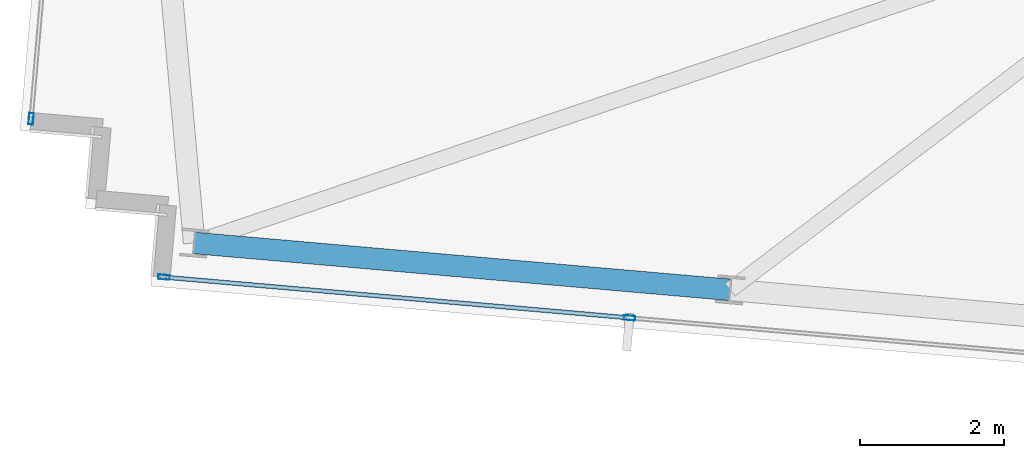
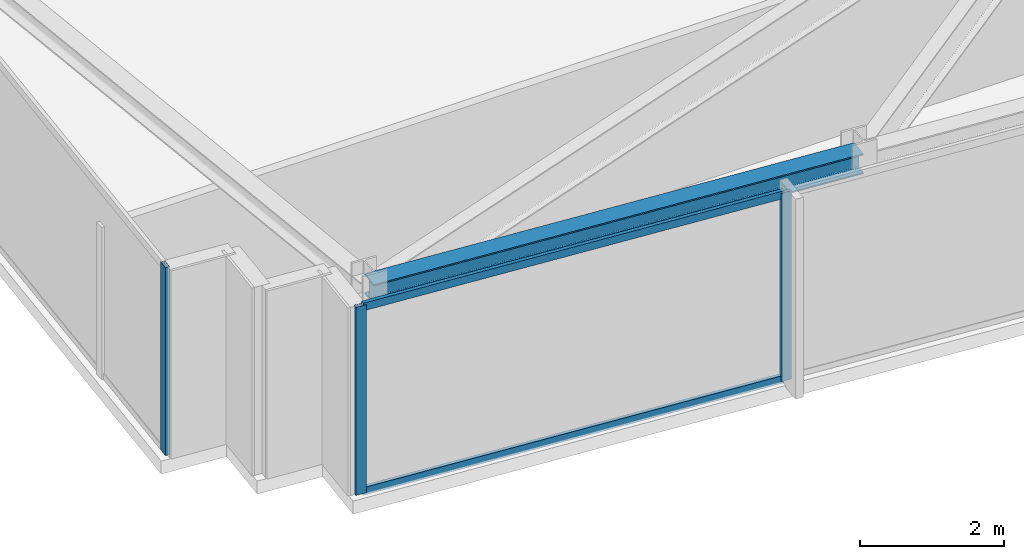
# One storey, part 2 of 33: 5 members, 1 beam, 2 elements without a shape of their own.
"""IFC4 building model written with IfcOpenShell, lengths in metres."""

from ifc_helpers import new_model, si_unit, direction, frame, origin, origin_2d, place, context, subcontext, project, spatial, hollow_rectangle, i_section, extrude, material, material_profile, profile_set, type_object, element, aggregate, save


model = new_model("IFC4")

# Units and contexts
model_context = context("Model", 3, precision=1e-05, world=origin(), true_north=direction((0.0, 1.0)))
body_context = subcontext(model_context, "Body", "Model", "MODEL_VIEW")
ifc_project = project(units=[si_unit("LENGTHUNIT", "METRE"), si_unit("AREAUNIT", "SQUARE_METRE"), si_unit("VOLUMEUNIT", "CUBIC_METRE"), si_unit("PLANEANGLEUNIT", "RADIAN"), si_unit("MASSUNIT", "GRAM", prefix="KILO")], contexts=[model_context])

# Site, building, storey
site_placement = place(None, origin())
site = spatial("IfcSite", under=ifc_project, at=site_placement, CompositionType="ELEMENT")
building_placement = place(site_placement, origin())
building = spatial("IfcBuilding", under=site, at=building_placement, Name="Yelkora Congress Tower", CompositionType="ELEMENT")
storey_placement = place(building_placement, frame((0.0, 0.0, 286.300048828125)))
storey = spatial("IfcBuildingStorey", under=building, at=storey_placement, Name="L80", CompositionType="ELEMENT", Elevation=286.300048828125)

# Beam
ifc_material_1 = material(Name="Steel S355J2", Category="steel")
ifc_material_profile_1 = material_profile(ifc_material_1, i_section(OverallWidth=0.300048828125, OverallDepth=0.340087890625, WebThickness=0.011962890625, FlangeThickness=0.021484375, FilletRadius=0.027099609375, at=origin_2d()), Name="HEB 340")
ifc_profile_set_1 = profile_set([ifc_material_profile_1], Name="Steel S355J2")
beam_type = type_object("IfcBeamType", Name="BM-SPAN-HEB340", PredefinedType="SPANDREL", material=ifc_profile_set_1)
beam_placement = place(storey_placement, frame((7.998046875, 20.097900390625, 3.010009765625), z_axis=(0.996193186297, -0.08717302092, 0.0), x_axis=(0.08717302092, 0.996193186297, 0.0)))
element("IfcBeam", 1, at=beam_placement, inside=storey, type_object=beam_type, Name="L80 Perimeter Beam 1", PredefinedType="SPANDREL", context=body_context, shape_type="SweptSolid", body=[
    extrude(i_section(OverallWidth=0.300048828125, OverallDepth=0.340087890625, WebThickness=0.011962890625, FlangeThickness=0.021484375, FilletRadius=0.027099609375, at=origin_2d()), origin(), (0.0, 0.0, 1.0), 7.4833984375),
])

# Curtain wall, member
ifc_material_2 = material(Name="Anodised aluminium and insulated glass", Category="aluminium")
curtain_wall_type = type_object("IfcCurtainWallType", Name="CW-SYS-B5", PredefinedType="NOTDEFINED", material=ifc_material_2)
curtain_wall_1_placement = place(storey_placement, origin())
curtain_wall_1 = element("IfcCurtainWall", 2, at=curtain_wall_1_placement, inside=storey, type_object=curtain_wall_type, Name="L80 Unitised Curtain Wall 5", PredefinedType="NOTDEFINED")
ifc_material_3 = material(Name="Anodised aluminium 6063-T6", Category="aluminium")
ifc_material_profile_2 = material_profile(ifc_material_3, hollow_rectangle(XDim=0.06494140625, YDim=0.159912109375, WallThickness=0.00390625, at=origin_2d()), Name="ALU 65x160x4")
ifc_profile_set_2 = profile_set([ifc_material_profile_2], Name="Anodised aluminium 6063-T6")
member_type_1 = type_object("IfcMemberType", Name="MEM-ML-B5", PredefinedType="MULLION", material=ifc_profile_set_2)
member_1_placement = place(storey_placement, frame((5.72998046875, 21.824462890625, 0.0), z_axis=(0.0, 0.0, 1.0), x_axis=(-0.996194785929, 0.08715473876, 0.0)))
member_1 = element("IfcMember", 3, at=member_1_placement, type_object=member_type_1, Name="CW-B5 mullion 1", PredefinedType="MULLION", context=body_context, shape_type="SweptSolid", body=[
    extrude(hollow_rectangle(XDim=0.06494140625, YDim=0.159912109375, WallThickness=0.00390625, at=origin_2d()), origin(), (0.0, 0.0, 1.0), 3.179931640625),
])
aggregate(curtain_wall_1, [member_1])

# Curtain wall, members
curtain_wall_2_placement = place(storey_placement, origin())
curtain_wall_2 = element("IfcCurtainWall", 4, at=curtain_wall_2_placement, inside=storey, type_object=curtain_wall_type, Name="L80 Unitised Curtain Wall 20", PredefinedType="NOTDEFINED")
member_2_placement = place(storey_placement, frame((14.0517578125, 19.05615234375, 0.0), z_axis=(0.0, 0.0, 1.0), x_axis=(-0.087156829793, -0.996194602987, 0.0)))
member_2 = element("IfcMember", 5, at=member_2_placement, type_object=member_type_1, Name="CW-B5 mullion 7", PredefinedType="MULLION", context=body_context, shape_type="SweptSolid", body=[
    extrude(hollow_rectangle(XDim=0.06494140625, YDim=0.159912109375, WallThickness=0.00390625, at=origin_2d()), origin(), (0.0, 0.0, 1.0), 3.179931640625),
])
member_3_placement = place(storey_placement, frame((7.57763671875, 19.62255859375, 0.0), z_axis=(0.0, 0.0, 1.0), x_axis=(-0.087156829793, -0.996194602987, 0.0)))
member_3 = element("IfcMember", 6, at=member_3_placement, type_object=member_type_1, Name="CW-B5 mullion 8", PredefinedType="MULLION", context=body_context, shape_type="SweptSolid", body=[
    extrude(hollow_rectangle(XDim=0.06494140625, YDim=0.159912109375, WallThickness=0.00390625, at=origin_2d()), origin(), (0.0, 0.0, 1.0), 3.179931640625),
])
ifc_material_profile_3 = material_profile(ifc_material_3, hollow_rectangle(XDim=0.06005859375, YDim=0.1298828125, WallThickness=0.00390625, at=origin_2d()), Name="ALU 60x130x4")
ifc_profile_set_3 = profile_set([ifc_material_profile_3], Name="Anodised aluminium 6063-T6")
member_type_2 = type_object("IfcMemberType", Name="MEM-TR-B5", PredefinedType="USERDEFINED", material=ifc_profile_set_3)
member_4_placement = place(storey_placement, frame((14.019287109375, 19.05908203125, 0.030029296875), z_axis=(-0.996194170551, 0.08716177236, 0.0), x_axis=(-0.08716177236, -0.996194170551, 0.0)))
member_4 = element("IfcMember", 7, at=member_4_placement, type_object=member_type_2, Name="CW-B5 transom 7.1", ObjectType="TRANSOM", PredefinedType="USERDEFINED", context=body_context, shape_type="SweptSolid", body=[
    extrude(hollow_rectangle(XDim=0.06005859375, YDim=0.1298828125, WallThickness=0.00390625, at=origin_2d()), origin(), (0.0, 0.0, 1.0), 6.433837890625),
])
member_5_placement = place(storey_placement, frame((14.019287109375, 19.05908203125, 3.14990234375), z_axis=(-0.996194170551, 0.08716177236, 0.0), x_axis=(-0.08716177236, -0.996194170551, 0.0)))
member_5 = element("IfcMember", 8, at=member_5_placement, type_object=member_type_2, Name="CW-B5 transom 7.2", ObjectType="TRANSOM", PredefinedType="USERDEFINED", context=body_context, shape_type="SweptSolid", body=[
    extrude(hollow_rectangle(XDim=0.06005859375, YDim=0.1298828125, WallThickness=0.00390625, at=origin_2d()), origin(), (0.0, 0.0, 1.0), 6.433837890625),
])
aggregate(curtain_wall_2, [member_2, member_3, member_4, member_5])

save(model, "model.ifc")
